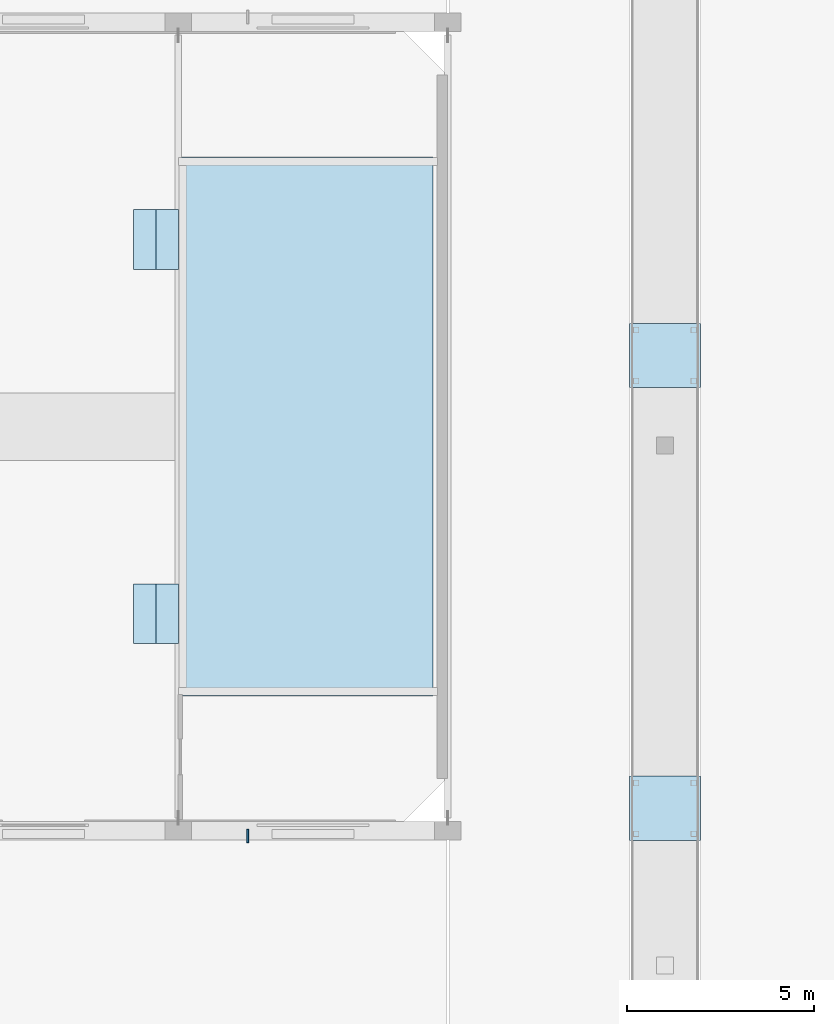
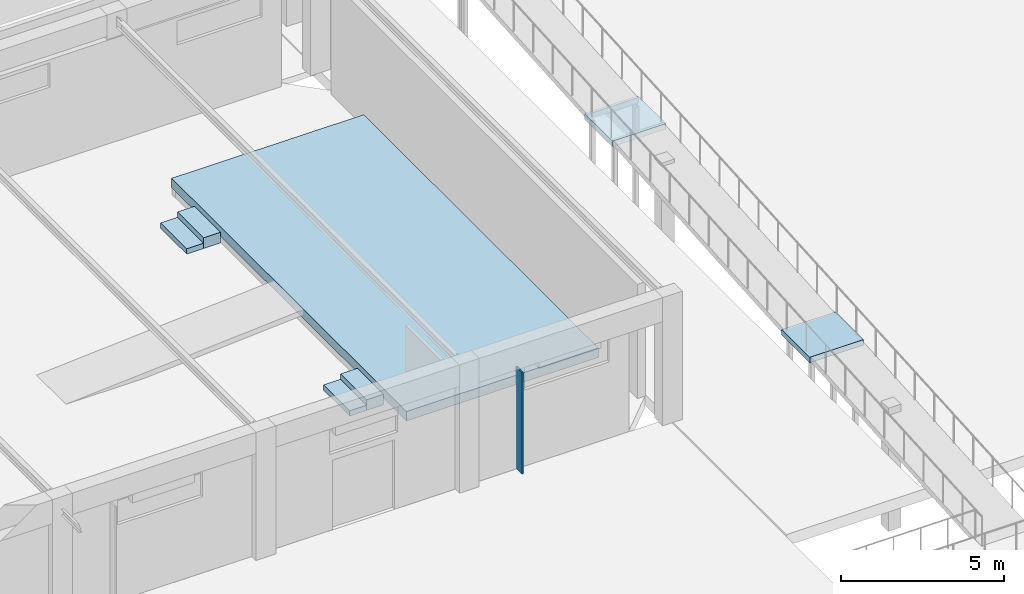
# One storey, part 39 of 85: 7 slabs, 1 plate, 1 element without a shape of its own.
"""IFC4 building model written with IfcOpenShell, lengths in metres."""

from ifc_helpers import new_model, si_unit, direction, frame, origin, origin_2d, place, context, subcontext, project, spatial, polyline, rectangle, outline, extrude, material, layer, layer_set, type_object, element, aggregate, save


model = new_model("IFC4")

# Units and contexts
model_context = context("Model", 3, precision=1e-05, world=origin(), true_north=direction((0.0, 1.0)))
body_context = subcontext(model_context, "Body", "Model", "MODEL_VIEW")
ifc_project = project(units=[si_unit("LENGTHUNIT", "METRE"), si_unit("AREAUNIT", "SQUARE_METRE"), si_unit("VOLUMEUNIT", "CUBIC_METRE"), si_unit("PLANEANGLEUNIT", "RADIAN"), si_unit("MASSUNIT", "GRAM", prefix="KILO")], contexts=[model_context])

# Site, building, storey
site_placement = place(None, origin())
site = spatial("IfcSite", under=ifc_project, at=site_placement, CompositionType="ELEMENT")
building_placement = place(site_placement, origin())
building = spatial("IfcBuilding", under=site, at=building_placement, Name="Ochrevale Crest", CompositionType="ELEMENT")
storey_placement = place(building_placement, origin())
storey = spatial("IfcBuildingStorey", under=building, at=storey_placement, Name="L00", CompositionType="ELEMENT", Elevation=0.0)

# Plate
ifc_material_1 = material(Name="Precast concrete C40/50", Category="concrete")
ifc_layer_1 = layer(ifc_material_1, 0.050048828125)
ifc_layer_set_1 = layer_set([ifc_layer_1], Name="Precast concrete C40/50")
plate_type = type_object("IfcPlateType", Name="PLT-HALL-FIN-50", PredefinedType="USERDEFINED", material=ifc_layer_set_1)
plate_placement = place(storey_placement, frame((102.64990234375, 43.06005859375, 0.0), z_axis=(0.0, 0.0, 1.0), x_axis=(1.0, 0.0, 0.0)))
element("IfcPlate", 1, at=plate_placement, inside=storey, type_object=plate_type, Name="Community Hall S ochre precast pilaster fin 7", ObjectType="ARCHITECTURAL FIN", PredefinedType="USERDEFINED", context=body_context, shape_type="SweptSolid", body=[
    extrude(rectangle(XDim=0.050048828125, YDim=0.360107421875, at=origin_2d()), origin(), (0.0, 0.0, 1.0), 3.800048828125),
])

# Ramp, slabs
ifc_material_2 = material(Name="Concrete C40/50", Category="concrete")
ramp_type = type_object("IfcRampType", Name="RMP-ACC", PredefinedType="USERDEFINED", material=ifc_material_2)
ramp_placement = place(storey_placement, origin())
ramp = element("IfcRamp", 2, at=ramp_placement, inside=storey, type_object=ramp_type, Name="East hillside Step 1 to Step 2 accessible ramp", ObjectType="ACCESSIBLE RAMP", PredefinedType="USERDEFINED")
ifc_layer_2 = layer(ifc_material_2, 0.2099609375)
ifc_layer_set_2 = layer_set([ifc_layer_2], Name="Concrete C40/50")
slab_type_1 = type_object("IfcSlabType", Name="SLB-EXT-LAND-210", PredefinedType="LANDING", material=ifc_layer_set_2)
slab_1_placement = place(storey_placement, frame((0.0, 0.0, 0.5400390625)))
slab_1 = element("IfcSlab", 3, at=slab_1_placement, type_object=slab_type_1, Name="East hillside Step 1 to Step 2 accessible ramp intermediate landing 1", PredefinedType="LANDING", context=body_context, shape_type="SweptSolid", body=[
    extrude(outline(polyline([(112.85009765625, 42.93994140625), (114.75, 42.93994140625), (114.75, 44.659912109375), (112.85009765625, 44.659912109375), (112.85009765625, 42.93994140625)])), origin(), (0.0, 0.0, 1.0), 0.2099609375),
])
slab_2_placement = place(storey_placement, frame((0.0, 0.0, 1.2900390625)))
slab_2 = element("IfcSlab", 4, at=slab_2_placement, type_object=slab_type_1, Name="East hillside Step 1 to Step 2 accessible ramp intermediate landing 2", PredefinedType="LANDING", context=body_context, shape_type="SweptSolid", body=[
    extrude(outline(polyline([(112.85009765625, 55.0400390625), (114.75, 55.0400390625), (114.75, 56.760009765625), (112.85009765625, 56.760009765625), (112.85009765625, 55.0400390625)])), origin(), (0.0, 0.0, 1.0), 0.2099609375),
])
aggregate(ramp, [slab_1, slab_2])

# Slabs
ifc_layer_3 = layer(ifc_material_1, 0.199951171875)
ifc_layer_set_3 = layer_set([ifc_layer_3], Name="Precast concrete C40/50")
slab_type_2 = type_object("IfcSlabType", Name="SLB-ST-LAND", PredefinedType="LANDING", material=ifc_layer_set_3)
slab_3_placement = place(storey_placement, origin())
element("IfcSlab", 5, at=slab_3_placement, inside=storey, type_object=slab_type_2, Name="Community Hall S stage stepped riser plinth 1", PredefinedType="LANDING", context=body_context, shape_type="SweptSolid", body=[
    extrude(outline(polyline([(99.60009765625, 48.199951171875), (100.199951171875, 48.199951171875), (100.199951171875, 49.800048828125), (99.60009765625, 49.800048828125), (99.60009765625, 48.199951171875)])), origin(), (0.0, 0.0, 1.0), 0.199951171875),
])
slab_4_placement = place(storey_placement, origin())
element("IfcSlab", 6, at=slab_4_placement, inside=storey, type_object=slab_type_2, Name="Community Hall S stage stepped riser plinth 2", PredefinedType="LANDING", context=body_context, shape_type="SweptSolid", body=[
    extrude(outline(polyline([(100.199951171875, 48.199951171875), (100.800048828125, 48.199951171875), (100.800048828125, 49.800048828125), (100.199951171875, 49.800048828125), (100.199951171875, 48.199951171875)])), origin(), (0.0, 0.0, 1.0), 0.39990234375),
])
slab_5_placement = place(storey_placement, origin())
element("IfcSlab", 7, at=slab_5_placement, inside=storey, type_object=slab_type_2, Name="Community Hall N stage stepped riser plinth 1", PredefinedType="LANDING", context=body_context, shape_type="SweptSolid", body=[
    extrude(outline(polyline([(99.60009765625, 58.199951171875), (100.199951171875, 58.199951171875), (100.199951171875, 59.800048828125), (99.60009765625, 59.800048828125), (99.60009765625, 58.199951171875)])), origin(), (0.0, 0.0, 1.0), 0.199951171875),
])
slab_6_placement = place(storey_placement, origin())
element("IfcSlab", 8, at=slab_6_placement, inside=storey, type_object=slab_type_2, Name="Community Hall N stage stepped riser plinth 2", PredefinedType="LANDING", context=body_context, shape_type="SweptSolid", body=[
    extrude(outline(polyline([(100.199951171875, 58.199951171875), (100.800048828125, 58.199951171875), (100.800048828125, 59.800048828125), (100.199951171875, 59.800048828125), (100.199951171875, 58.199951171875)])), origin(), (0.0, 0.0, 1.0), 0.39990234375),
])
ifc_layer_4 = layer(ifc_material_2, 0.35498046875)
ifc_layer_set_4 = layer_set([ifc_layer_4], Name="Concrete C40/50")
slab_type_3 = type_object("IfcSlabType", Name="SLB-STAGE-355", PredefinedType="FLOOR", material=ifc_layer_set_4)
slab_7_placement = place(storey_placement, frame((0.0, 0.0, 0.2451171875)))
element("IfcSlab", 9, at=slab_7_placement, inside=storey, type_object=slab_type_3, Name="Community Hall raised performance stage slab", PredefinedType="FLOOR", context=body_context, shape_type="SweptSolid", body=[
    extrude(outline(polyline([(100.800048828125, 46.800048828125), (107.60009765625, 46.800048828125), (107.60009765625, 61.199951171875), (100.800048828125, 61.199951171875), (100.800048828125, 46.800048828125)])), origin(), (0.0, 0.0, 1.0), 0.35498046875),
])

save(model, "model.ifc")
